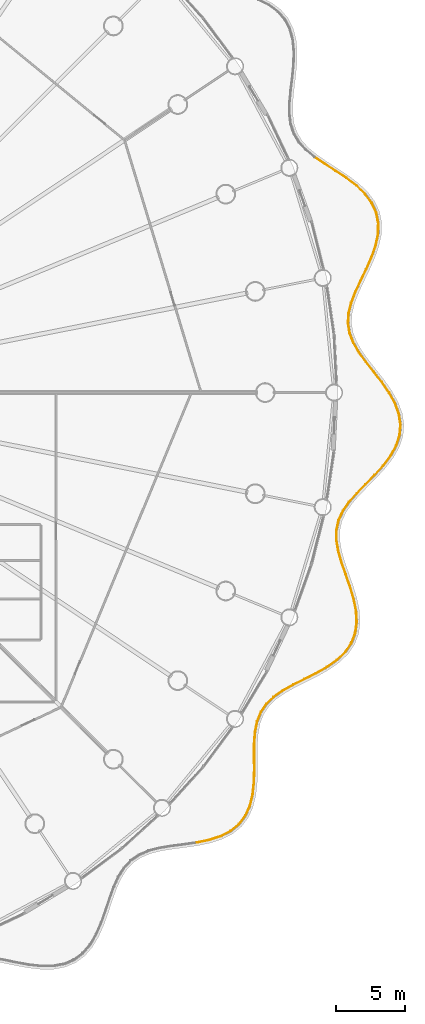
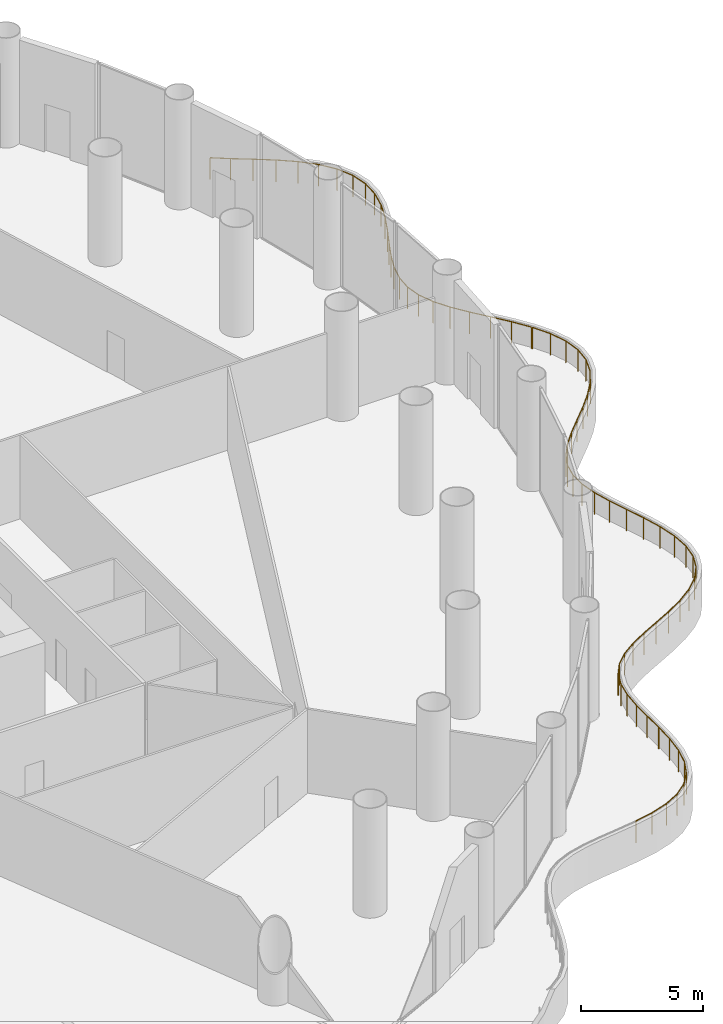
# One storey, part 35 of 37: 3 railings.
"""IFC4 building model written with IfcOpenShell, lengths in metres."""

from ifc_helpers import new_model, si_unit, direction, frame, origin, origin_2d, place, context, subcontext, project, spatial, circle, extrude, material, type_object, element, save


model = new_model("IFC4")

# Units and contexts
model_context = context("Model", 3, precision=1e-05, world=origin(), true_north=direction((0.0, 1.0)))
body_context = subcontext(model_context, "Body", "Model", "MODEL_VIEW")
ifc_project = project(units=[si_unit("LENGTHUNIT", "METRE"), si_unit("AREAUNIT", "SQUARE_METRE"), si_unit("VOLUMEUNIT", "CUBIC_METRE"), si_unit("PLANEANGLEUNIT", "RADIAN"), si_unit("MASSUNIT", "GRAM", prefix="KILO")], contexts=[model_context])

# Site, building, storey
site_placement = place(None, origin())
site = spatial("IfcSite", under=ifc_project, at=site_placement, CompositionType="ELEMENT")
building_placement = place(site_placement, origin())
building = spatial("IfcBuilding", under=site, at=building_placement, Name="Corvane Civic Tower", CompositionType="ELEMENT")
storey_placement = place(building_placement, frame((0.0, 0.0, 11.5)))
storey = spatial("IfcBuildingStorey", under=building, at=storey_placement, Name="L02", CompositionType="ELEMENT", Elevation=11.5)

# Railings
ifc_material = material(Name="Steel ASTM A572 Gr 50", Category="steel")
railing_type = type_object("IfcRailingType", Name="PODIUM-RL-GUARD-1100", PredefinedType="GUARDRAIL", material=ifc_material)
railing_1_placement = place(storey_placement, frame((32.746337890625, -32.716796875, 0.0)))
element("IfcRailing", 1, at=railing_1_placement, inside=storey, type_object=railing_type, Name="L02 ribbon guard 11", PredefinedType="GUARDRAIL", context=body_context, shape_type="SweptSolid", body=[
    extrude(circle(Radius=0.02392578125, at=origin_2d()), frame((0.0, 0.0, 1.076171875), z_axis=(0.979350284104, 0.202170771935, 0.0), x_axis=(-0.202170771935, 0.979350284104, 0.0)), (0.0, 0.0, 1.0), 0.89111328125),
    extrude(circle(Radius=0.02392578125, at=origin_2d()), frame((0.872802734375, 0.18017578125, 1.076171875), z_axis=(0.951112018986, 0.308846122431, 0.0), x_axis=(-0.308846122431, 0.951112018986, 0.0)), (0.0, 0.0, 1.0), 0.874267578125),
    extrude(circle(Radius=0.02392578125, at=origin_2d()), frame((1.704345703125, 0.4501953125, 1.076171875), z_axis=(0.888608978044, 0.458665547148, 0.0), x_axis=(-0.458665547148, 0.888608978044, 0.0)), (0.0, 0.0, 1.0), 0.824462890625),
    extrude(circle(Radius=0.02392578125, at=origin_2d()), frame((2.43701171875, 0.828369140625, 1.076171875), z_axis=(0.773127936515, 0.634250103492, 0.0), x_axis=(-0.634250103492, 0.773127936515, 0.0)), (0.0, 0.0, 1.0), 0.78759765625),
    extrude(circle(Radius=0.02392578125, at=origin_2d()), frame((3.0458984375, 1.327880859375, 1.076171875), z_axis=(0.603049995362, 0.797703392931, 0.0), x_axis=(-0.797703392931, 0.603049995362, 0.0)), (0.0, 0.0, 1.0), 0.780029296875),
    extrude(circle(Radius=0.02392578125, at=origin_2d()), frame((3.516357421875, 1.9501953125, 1.076171875), z_axis=(0.41001209647, 0.912080084613, 0.0), x_axis=(-0.912080084613, 0.41001209647, 0.0)), (0.0, 0.0, 1.0), 0.80615234375),
    extrude(circle(Radius=0.02392578125, at=origin_2d()), frame((3.846923828125, 2.685546875, 1.076171875), z_axis=(0.235796585795, 0.971802433691, 0.0), x_axis=(-0.971802433691, 0.235796585795, 0.0)), (0.0, 0.0, 1.0), 0.853271484375),
    extrude(circle(Radius=0.02392578125, at=origin_2d()), frame((4.048095703125, 3.5146484375, 1.076171875), z_axis=(0.105997077035, 0.994366441338, 0.0), x_axis=(-0.994366441338, 0.105997077035, 0.0)), (0.0, 0.0, 1.0), 0.900634765625),
    extrude(circle(Radius=0.02392578125, at=origin_2d()), frame((4.1435546875, 4.41015625, 1.076171875), z_axis=(0.024933175743, 0.999689120051, 0.0), x_axis=(-0.999689120051, 0.024933175743, 0.0)), (0.0, 0.0, 1.0), 0.93017578125),
    extrude(circle(Radius=0.02392578125, at=origin_2d()), frame((4.166748046875, 5.340087890625, 1.076171875), z_axis=(-0.009436015013, 0.999955479819, 0.0), x_axis=(-0.999955479819, -0.009436015013, 0.0)), (0.0, 0.0, 1.0), 0.931396484375),
    extrude(circle(Radius=0.02392578125, at=origin_2d()), frame((4.157958984375, 6.271484375, 1.076171875), z_axis=(0.003250253688, 0.999994717912, 0.0), x_axis=(-0.999994717912, 0.003250253688, 0.0)), (0.0, 0.0, 1.0), 0.9013671875),
    extrude(circle(Radius=0.02392578125, at=origin_2d()), frame((4.160888671875, 7.1728515625, 1.076171875), z_axis=(0.067437118765, 0.99772352634, 0.0), x_axis=(-0.99772352634, 0.067437118765, 0.0)), (0.0, 0.0, 1.0), 0.84716796875),
    extrude(circle(Radius=0.02392578125, at=origin_2d()), frame((4.218017578125, 8.01806640625, 1.076171875), z_axis=(0.18970227519, 0.981841660752, 0.0), x_axis=(-0.981841660752, 0.18970227519, 0.0)), (0.0, 0.0, 1.0), 0.78369140625),
    extrude(circle(Radius=0.02392578125, at=origin_2d()), frame((4.36669921875, 8.78759765625, 1.076171875), z_axis=(0.36444945393, 0.93122317171, 0.0), x_axis=(-0.93122317171, 0.36444945393, 0.0)), (0.0, 0.0, 1.0), 0.73486328125),
    extrude(circle(Radius=0.02392578125, at=origin_2d()), frame((4.634521484375, 9.471923828125, 1.076171875), z_axis=(0.558210589536, 0.82969930561, 0.0), x_axis=(-0.82969930561, 0.558210589536, 0.0)), (0.0, 0.0, 1.0), 0.72119140625),
    extrude(circle(Radius=0.02392578125, at=origin_2d()), frame((5.037109375, 10.0703125, 1.076171875), z_axis=(0.71905346714, 0.694954754926, 0.0), x_axis=(-0.694954754926, 0.71905346714, 0.0)), (0.0, 0.0, 1.0), 0.749755859375),
    extrude(circle(Radius=0.02392578125, at=origin_2d()), frame((5.576171875, 10.59130859375, 1.076171875), z_axis=(0.821570758338, 0.570106559377, 0.0), x_axis=(-0.570106559377, 0.821570758338, 0.0)), (0.0, 0.0, 1.0), 0.806884765625),
    extrude(circle(Radius=0.02392578125, at=origin_2d()), frame((6.239013671875, 11.05126953125, 1.076171875), z_axis=(0.874752887878, 0.484569277967, 0.0), x_axis=(-0.484569277967, 0.874752887878, 0.0)), (0.0, 0.0, 1.0), 0.869140625),
    extrude(circle(Radius=0.02392578125, at=origin_2d()), frame((6.999267578125, 11.472412109375, 1.076171875), z_axis=(0.895437895525, 0.445186449993, 0.0), x_axis=(-0.445186449993, 0.895437895525, 0.0)), (0.0, 0.0, 1.0), 0.915771484375),
    extrude(circle(Radius=0.02392578125, at=origin_2d()), frame((7.8193359375, 11.880126953125, 1.076171875), z_axis=(0.893274995005, 0.449510604212, 0.0), x_axis=(-0.449510604212, 0.893274995005, 0.0)), (0.0, 0.0, 1.0), 0.934814453125),
    extrude(circle(Radius=0.02392578125, at=origin_2d()), frame((8.654296875, 12.30029296875, 1.076171875), z_axis=(0.869040218452, 0.494741446326, 0.0), x_axis=(-0.494741446326, 0.869040218452, 0.0)), (0.0, 0.0, 1.0), 0.92236328125),
    extrude(circle(Radius=0.02392578125, at=origin_2d()), frame((9.455810546875, 12.756591796875, 1.076171875), z_axis=(0.815427285454, 0.578859518482, 0.0), x_axis=(-0.578859518482, 0.815427285454, 0.0)), (0.0, 0.0, 1.0), 0.884521484375),
    extrude(circle(Radius=0.02392578125, at=origin_2d()), frame((10.177001953125, 13.2685546875, 1.076171875), z_axis=(0.718998120827, 0.695012015901, 0.0), x_axis=(-0.695012015901, 0.718998120827, 0.0)), (0.0, 0.0, 1.0), 0.834716796875),
    extrude(circle(Radius=0.02392578125, at=origin_2d()), frame((10.777099609375, 13.8486328125, 1.076171875), z_axis=(0.564923088251, 0.825143565909, 0.0), x_axis=(-0.825143565909, 0.564923088251, 0.0)), (0.0, 0.0, 1.0), 0.768310546875),
    extrude(circle(Radius=0.02099609375, at=origin_2d()), origin(), (0.0, 0.0, 1.0), 1.052001953125),
    extrude(circle(Radius=0.02099609375, at=origin_2d()), frame((0.872802734375, 0.18017578125, 0.0)), (0.0, 0.0, 1.0), 1.052001953125),
    extrude(circle(Radius=0.02099609375, at=origin_2d()), frame((1.704345703125, 0.4501953125, 0.0)), (0.0, 0.0, 1.0), 1.052001953125),
    extrude(circle(Radius=0.02099609375, at=origin_2d()), frame((2.43701171875, 0.828369140625, 0.0)), (0.0, 0.0, 1.0), 1.052001953125),
    extrude(circle(Radius=0.02099609375, at=origin_2d()), frame((3.0458984375, 1.327880859375, 0.0)), (0.0, 0.0, 1.0), 1.052001953125),
    extrude(circle(Radius=0.02099609375, at=origin_2d()), frame((3.516357421875, 1.9501953125, 0.0)), (0.0, 0.0, 1.0), 1.052001953125),
    extrude(circle(Radius=0.02099609375, at=origin_2d()), frame((3.846923828125, 2.685546875, 0.0)), (0.0, 0.0, 1.0), 1.052001953125),
    extrude(circle(Radius=0.02099609375, at=origin_2d()), frame((4.048095703125, 3.5146484375, 0.0)), (0.0, 0.0, 1.0), 1.052001953125),
    extrude(circle(Radius=0.02099609375, at=origin_2d()), frame((4.1435546875, 4.41015625, 0.0)), (0.0, 0.0, 1.0), 1.052001953125),
    extrude(circle(Radius=0.02099609375, at=origin_2d()), frame((4.166748046875, 5.340087890625, 0.0)), (0.0, 0.0, 1.0), 1.052001953125),
    extrude(circle(Radius=0.02099609375, at=origin_2d()), frame((4.157958984375, 6.271484375, 0.0)), (0.0, 0.0, 1.0), 1.052001953125),
    extrude(circle(Radius=0.02099609375, at=origin_2d()), frame((4.160888671875, 7.1728515625, 0.0)), (0.0, 0.0, 1.0), 1.052001953125),
    extrude(circle(Radius=0.02099609375, at=origin_2d()), frame((4.218017578125, 8.01806640625, 0.0)), (0.0, 0.0, 1.0), 1.052001953125),
    extrude(circle(Radius=0.02099609375, at=origin_2d()), frame((4.36669921875, 8.78759765625, 0.0)), (0.0, 0.0, 1.0), 1.052001953125),
    extrude(circle(Radius=0.02099609375, at=origin_2d()), frame((4.634521484375, 9.471923828125, 0.0)), (0.0, 0.0, 1.0), 1.052001953125),
    extrude(circle(Radius=0.02099609375, at=origin_2d()), frame((5.037109375, 10.0703125, 0.0)), (0.0, 0.0, 1.0), 1.052001953125),
    extrude(circle(Radius=0.02099609375, at=origin_2d()), frame((5.576171875, 10.59130859375, 0.0)), (0.0, 0.0, 1.0), 1.052001953125),
    extrude(circle(Radius=0.02099609375, at=origin_2d()), frame((6.239013671875, 11.05126953125, 0.0)), (0.0, 0.0, 1.0), 1.052001953125),
    extrude(circle(Radius=0.02099609375, at=origin_2d()), frame((6.999267578125, 11.472412109375, 0.0)), (0.0, 0.0, 1.0), 1.052001953125),
    extrude(circle(Radius=0.02099609375, at=origin_2d()), frame((7.8193359375, 11.880126953125, 0.0)), (0.0, 0.0, 1.0), 1.052001953125),
    extrude(circle(Radius=0.02099609375, at=origin_2d()), frame((8.654296875, 12.30029296875, 0.0)), (0.0, 0.0, 1.0), 1.052001953125),
    extrude(circle(Radius=0.02099609375, at=origin_2d()), frame((9.455810546875, 12.756591796875, 0.0)), (0.0, 0.0, 1.0), 1.052001953125),
    extrude(circle(Radius=0.02099609375, at=origin_2d()), frame((10.177001953125, 13.2685546875, 0.0)), (0.0, 0.0, 1.0), 1.052001953125),
    extrude(circle(Radius=0.02099609375, at=origin_2d()), frame((10.777099609375, 13.8486328125, 0.0)), (0.0, 0.0, 1.0), 1.052001953125),
    extrude(circle(Radius=0.02099609375, at=origin_2d()), frame((11.211181640625, 14.482666015625, 0.0)), (0.0, 0.0, 1.0), 1.052001953125),
])
railing_2_placement = place(storey_placement, frame((43.980712890625, -18.190185546875, 0.0)))
element("IfcRailing", 2, at=railing_2_placement, inside=storey, type_object=railing_type, Name="L02 ribbon guard 12", PredefinedType="GUARDRAIL", context=body_context, shape_type="SweptSolid", body=[
    extrude(circle(Radius=0.02392578125, at=origin_2d()), frame((0.0, 0.0, 1.076171875), z_axis=(0.358675095496, 0.933462466236, 0.0), x_axis=(-0.933462466236, 0.358675095496, 0.0)), (0.0, 0.0, 1.0), 0.75341796875),
    extrude(circle(Radius=0.02392578125, at=origin_2d()), frame((0.270263671875, 0.703369140625, 1.076171875), z_axis=(0.136068290058, 0.9906994602, 0.0), x_axis=(-0.9906994602, 0.136068290058, 0.0)), (0.0, 0.0, 1.0), 0.79833984375),
    extrude(circle(Radius=0.02392578125, at=origin_2d()), frame((0.37890625, 1.494384765625, 1.076171875), z_axis=(-0.057957564445, 0.998319047561, 0.0), x_axis=(-0.998319047561, -0.057957564445, 0.0)), (0.0, 0.0, 1.0), 0.842529296875),
    extrude(circle(Radius=0.02392578125, at=origin_2d()), frame((0.330078125, 2.33544921875, 1.076171875), z_axis=(-0.199589877807, 0.979879523552, 0.0), x_axis=(-0.979879523552, -0.199589877807, 0.0)), (0.0, 0.0, 1.0), 0.8916015625),
    extrude(circle(Radius=0.02392578125, at=origin_2d()), frame((0.152099609375, 3.209228515625, 1.076171875), z_axis=(-0.288653579116, 0.957433606713, 0.0), x_axis=(-0.957433606713, -0.288653579116, 0.0)), (0.0, 0.0, 1.0), 0.926025390625),
    extrude(circle(Radius=0.02392578125, at=origin_2d()), frame((-0.115234375, 4.095947265625, 1.076171875), z_axis=(-0.330466878924, 0.943817589333, 0.0), x_axis=(-0.943817589333, -0.330466878924, 0.0)), (0.0, 0.0, 1.0), 0.933837890625),
    extrude(circle(Radius=0.02392578125, at=origin_2d()), frame((-0.423828125, 4.977294921875, 1.076171875), z_axis=(-0.328031635624, 0.944666738077, 0.0), x_axis=(-0.944666738077, -0.328031635624, 0.0)), (0.0, 0.0, 1.0), 0.91015625),
    extrude(circle(Radius=0.02392578125, at=origin_2d()), frame((-0.722412109375, 5.837158203125, 1.076171875), z_axis=(-0.27772020154, 0.96066200594, 0.0), x_axis=(-0.96066200594, -0.27772020154, 0.0)), (0.0, 0.0, 1.0), 0.85986328125),
    extrude(circle(Radius=0.02392578125, at=origin_2d()), frame((-0.961181640625, 6.6630859375, 1.076171875), z_axis=(-0.170060830048, 0.98543356655, 0.0), x_axis=(-0.98543356655, -0.170060830048, 0.0)), (0.0, 0.0, 1.0), 0.796875),
    extrude(circle(Radius=0.02392578125, at=origin_2d()), frame((-1.0966796875, 7.4482421875, 1.076171875), z_axis=(-0.000328623052, 0.999999946003, 0.0), x_axis=(-0.999999946003, -0.000328623052, 0.0)), (0.0, 0.0, 1.0), 0.742919921875),
    extrude(circle(Radius=0.02392578125, at=origin_2d()), frame((-1.096923828125, 8.191162109375, 1.076171875), z_axis=(0.212837667857, 0.977087573937, 0.0), x_axis=(-0.977087573937, 0.212837667857, 0.0)), (0.0, 0.0, 1.0), 0.720458984375),
    extrude(circle(Radius=0.02392578125, at=origin_2d()), frame((-0.943603515625, 8.89501953125, 1.076171875), z_axis=(0.41757371867, 0.908643048439, 0.0), x_axis=(-0.908643048439, 0.41757371867, 0.0)), (0.0, 0.0, 1.0), 0.74072265625),
    extrude(circle(Radius=0.02392578125, at=origin_2d()), frame((-0.63427734375, 9.568115234375, 1.076171875), z_axis=(0.56832961882, 0.822800974946, 0.0), x_axis=(-0.822800974946, 0.56832961882, 0.0)), (0.0, 0.0, 1.0), 0.79345703125),
    extrude(circle(Radius=0.02392578125, at=origin_2d()), frame((-0.183349609375, 10.220947265625, 1.076171875), z_axis=(0.65775776046, 0.75322953245, 0.0), x_axis=(-0.75322953245, 0.65775776046, 0.0)), (0.0, 0.0, 1.0), 0.856689453125),
    extrude(circle(Radius=0.02392578125, at=origin_2d()), frame((0.380126953125, 10.8662109375, 1.076171875), z_axis=(0.698857923336, 0.715260514072, 0.0), x_axis=(-0.715260514072, 0.698857923336, 0.0)), (0.0, 0.0, 1.0), 0.907958984375),
    extrude(circle(Radius=0.02392578125, at=origin_2d()), frame((1.0146484375, 11.515625, 1.076171875), z_axis=(0.702384147199, 0.711798082158, 0.0), x_axis=(-0.711798082158, 0.702384147199, 0.0)), (0.0, 0.0, 1.0), 0.93359375),
    extrude(circle(Radius=0.02392578125, at=origin_2d()), frame((1.67041015625, 12.18017578125, 1.076171875), z_axis=(0.672187761022, 0.740380722285, 0.0), x_axis=(-0.740380722285, 0.672187761022, 0.0)), (0.0, 0.0, 1.0), 0.92724609375),
    extrude(circle(Radius=0.02392578125, at=origin_2d()), frame((2.293701171875, 12.86669921875, 1.076171875), z_axis=(0.603621021623, 0.797271385574, 0.0), x_axis=(-0.797271385574, 0.603621021623, 0.0)), (0.0, 0.0, 1.0), 0.893798828125),
    extrude(circle(Radius=0.02392578125, at=origin_2d()), frame((2.833251953125, 13.579345703125, 1.076171875), z_axis=(0.486182441808, 0.873857330047, 0.0), x_axis=(-0.873857330047, 0.486182441808, 0.0)), (0.0, 0.0, 1.0), 0.84521484375),
    extrude(circle(Radius=0.02392578125, at=origin_2d()), frame((3.244140625, 14.31787109375, 1.076171875), z_axis=(0.310823647383, 0.95046760083, 0.0), x_axis=(-0.95046760083, 0.310823647383, 0.0)), (0.0, 0.0, 1.0), 0.80029296875),
    extrude(circle(Radius=0.02392578125, at=origin_2d()), frame((3.492919921875, 15.07861328125, 1.076171875), z_axis=(0.086183330017, 0.996279294991, 0.0), x_axis=(-0.996279294991, 0.086183330017, 0.0)), (0.0, 0.0, 1.0), 0.779052734375),
    extrude(circle(Radius=0.02392578125, at=origin_2d()), frame((3.56005859375, 15.854736328125, 1.076171875), z_axis=(-0.147420434322, 0.98907391814, 0.0), x_axis=(-0.98907391814, -0.147420434322, 0.0)), (0.0, 0.0, 1.0), 0.79150390625),
    extrude(circle(Radius=0.02392578125, at=origin_2d()), frame((3.443359375, 16.6376953125, 1.076171875), z_axis=(-0.344427050262, 0.938813084191, 0.0), x_axis=(-0.938813084191, -0.344427050262, 0.0)), (0.0, 0.0, 1.0), 0.832275390625),
    extrude(circle(Radius=0.02392578125, at=origin_2d()), frame((3.15673828125, 17.4189453125, 1.076171875), z_axis=(-0.484771582084, 0.874640790956, 0.0), x_axis=(-0.874640790956, -0.484771582084, 0.0)), (0.0, 0.0, 1.0), 0.856689453125),
    extrude(circle(Radius=0.02099609375, at=origin_2d()), origin(), (0.0, 0.0, 1.0), 1.052001953125),
    extrude(circle(Radius=0.02099609375, at=origin_2d()), frame((0.270263671875, 0.703369140625, 0.0)), (0.0, 0.0, 1.0), 1.052001953125),
    extrude(circle(Radius=0.02099609375, at=origin_2d()), frame((0.37890625, 1.494384765625, 0.0)), (0.0, 0.0, 1.0), 1.052001953125),
    extrude(circle(Radius=0.02099609375, at=origin_2d()), frame((0.330078125, 2.33544921875, 0.0)), (0.0, 0.0, 1.0), 1.052001953125),
    extrude(circle(Radius=0.02099609375, at=origin_2d()), frame((0.152099609375, 3.209228515625, 0.0)), (0.0, 0.0, 1.0), 1.052001953125),
    extrude(circle(Radius=0.02099609375, at=origin_2d()), frame((-0.115234375, 4.095947265625, 0.0)), (0.0, 0.0, 1.0), 1.052001953125),
    extrude(circle(Radius=0.02099609375, at=origin_2d()), frame((-0.423828125, 4.977294921875, 0.0)), (0.0, 0.0, 1.0), 1.052001953125),
    extrude(circle(Radius=0.02099609375, at=origin_2d()), frame((-0.722412109375, 5.837158203125, 0.0)), (0.0, 0.0, 1.0), 1.052001953125),
    extrude(circle(Radius=0.02099609375, at=origin_2d()), frame((-0.961181640625, 6.6630859375, 0.0)), (0.0, 0.0, 1.0), 1.052001953125),
    extrude(circle(Radius=0.02099609375, at=origin_2d()), frame((-1.0966796875, 7.4482421875, 0.0)), (0.0, 0.0, 1.0), 1.052001953125),
    extrude(circle(Radius=0.02099609375, at=origin_2d()), frame((-1.096923828125, 8.191162109375, 0.0)), (0.0, 0.0, 1.0), 1.052001953125),
    extrude(circle(Radius=0.02099609375, at=origin_2d()), frame((-0.943603515625, 8.89501953125, 0.0)), (0.0, 0.0, 1.0), 1.052001953125),
    extrude(circle(Radius=0.02099609375, at=origin_2d()), frame((-0.63427734375, 9.568115234375, 0.0)), (0.0, 0.0, 1.0), 1.052001953125),
    extrude(circle(Radius=0.02099609375, at=origin_2d()), frame((-0.183349609375, 10.220947265625, 0.0)), (0.0, 0.0, 1.0), 1.052001953125),
    extrude(circle(Radius=0.02099609375, at=origin_2d()), frame((0.380126953125, 10.8662109375, 0.0)), (0.0, 0.0, 1.0), 1.052001953125),
    extrude(circle(Radius=0.02099609375, at=origin_2d()), frame((1.0146484375, 11.515625, 0.0)), (0.0, 0.0, 1.0), 1.052001953125),
    extrude(circle(Radius=0.02099609375, at=origin_2d()), frame((1.67041015625, 12.18017578125, 0.0)), (0.0, 0.0, 1.0), 1.052001953125),
    extrude(circle(Radius=0.02099609375, at=origin_2d()), frame((2.293701171875, 12.86669921875, 0.0)), (0.0, 0.0, 1.0), 1.052001953125),
    extrude(circle(Radius=0.02099609375, at=origin_2d()), frame((2.833251953125, 13.579345703125, 0.0)), (0.0, 0.0, 1.0), 1.052001953125),
    extrude(circle(Radius=0.02099609375, at=origin_2d()), frame((3.244140625, 14.31787109375, 0.0)), (0.0, 0.0, 1.0), 1.052001953125),
    extrude(circle(Radius=0.02099609375, at=origin_2d()), frame((3.492919921875, 15.07861328125, 0.0)), (0.0, 0.0, 1.0), 1.052001953125),
    extrude(circle(Radius=0.02099609375, at=origin_2d()), frame((3.56005859375, 15.854736328125, 0.0)), (0.0, 0.0, 1.0), 1.052001953125),
    extrude(circle(Radius=0.02099609375, at=origin_2d()), frame((3.443359375, 16.6376953125, 0.0)), (0.0, 0.0, 1.0), 1.052001953125),
    extrude(circle(Radius=0.02099609375, at=origin_2d()), frame((3.15673828125, 17.4189453125, 0.0)), (0.0, 0.0, 1.0), 1.052001953125),
    extrude(circle(Radius=0.02099609375, at=origin_2d()), frame((2.741455078125, 18.168212890625, 0.0)), (0.0, 0.0, 1.0), 1.052001953125),
])
railing_3_placement = place(storey_placement, frame((46.69580078125, 0.0205078125, 0.0)))
element("IfcRailing", 3, at=railing_3_placement, inside=storey, type_object=railing_type, Name="L02 ribbon guard 13", PredefinedType="GUARDRAIL", context=body_context, shape_type="SweptSolid", body=[
    extrude(circle(Radius=0.02392578125, at=origin_2d()), frame((0.0, 0.0, 1.076171875), z_axis=(-0.571375795207, 0.820688552772, 0.0), x_axis=(-0.820688552772, -0.571375795207, 0.0)), (0.0, 0.0, 1.0), 0.89599609375),
    extrude(circle(Radius=0.02392578125, at=origin_2d()), frame((-0.511962890625, 0.7353515625, 1.076171875), z_axis=(-0.614771968679, 0.788704904592, 0.0), x_axis=(-0.788704904592, -0.614771968679, 0.0)), (0.0, 0.0, 1.0), 0.934814453125),
    extrude(circle(Radius=0.02392578125, at=origin_2d()), frame((-1.086669921875, 1.47265625, 1.076171875), z_axis=(-0.620532538307, 0.784180699139, 0.0), x_axis=(-0.784180699139, -0.620532538307, 0.0)), (0.0, 0.0, 1.0), 0.91748046875),
    extrude(circle(Radius=0.02392578125, at=origin_2d()), frame((-1.656005859375, 2.192138671875, 1.076171875), z_axis=(-0.587339096763, 0.809340957455, 0.0), x_axis=(-0.809340957455, -0.587339096763, 0.0)), (0.0, 0.0, 1.0), 0.8720703125),
    extrude(circle(Radius=0.02392578125, at=origin_2d()), frame((-2.168212890625, 2.89794921875, 1.076171875), z_axis=(-0.505649896337, 0.862738768304, 0.0), x_axis=(-0.862738768304, -0.505649896337, 0.0)), (0.0, 0.0, 1.0), 0.810302734375),
    extrude(circle(Radius=0.02392578125, at=origin_2d()), frame((-2.577880859375, 3.596923828125, 1.076171875), z_axis=(-0.362869121859, 0.931840115257, 0.0), x_axis=(-0.931840115257, -0.362869121859, 0.0)), (0.0, 0.0, 1.0), 0.752197265625),
    extrude(circle(Radius=0.02392578125, at=origin_2d()), frame((-2.850830078125, 4.2978515625, 1.076171875), z_axis=(-0.162698350099, 0.986675857045, 0.0), x_axis=(-0.986675857045, -0.162698350099, 0.0)), (0.0, 0.0, 1.0), 0.7216796875),
    extrude(circle(Radius=0.02392578125, at=origin_2d()), frame((-2.96826171875, 5.010009765625, 1.076171875), z_axis=(0.056945469186, 0.998377290176, 0.0), x_axis=(-0.998377290176, 0.056945469186, 0.0)), (0.0, 0.0, 1.0), 0.733154296875),
    extrude(circle(Radius=0.02392578125, at=origin_2d()), frame((-2.926513671875, 5.741943359375, 1.076171875), z_axis=(0.239885475498, 0.970801194192, 0.0), x_axis=(-0.970801194192, 0.239885475498, 0.0)), (0.0, 0.0, 1.0), 0.780517578125),
    extrude(circle(Radius=0.02392578125, at=origin_2d()), frame((-2.7392578125, 6.499755859375, 1.076171875), z_axis=(0.359987220664, 0.93295723426, 0.0), x_axis=(-0.93295723426, 0.359987220664, 0.0)), (0.0, 0.0, 1.0), 0.84375),
    extrude(circle(Radius=0.02392578125, at=origin_2d()), frame((-2.435546875, 7.286865234375, 1.076171875), z_axis=(0.421948777942, 0.906619671524, 0.0), x_axis=(-0.906619671524, 0.421948777942, 0.0)), (0.0, 0.0, 1.0), 0.899169921875),
    extrude(circle(Radius=0.02392578125, at=origin_2d()), frame((-2.05615234375, 8.10205078125, 1.076171875), z_axis=(0.435842110154, 0.900023141378, 0.0), x_axis=(-0.900023141378, 0.435842110154, 0.0)), (0.0, 0.0, 1.0), 0.930419921875),
    extrude(circle(Radius=0.02392578125, at=origin_2d()), frame((-1.650634765625, 8.939453125, 1.076171875), z_axis=(0.406819340059, 0.913508634088, 0.0), x_axis=(-0.913508634088, 0.406819340059, 0.0)), (0.0, 0.0, 1.0), 0.931396484375),
    extrude(circle(Radius=0.02392578125, at=origin_2d()), frame((-1.271728515625, 9.790283203125, 1.076171875), z_axis=(0.333782049108, 0.942650276451, 0.0), x_axis=(-0.942650276451, 0.333782049108, 0.0)), (0.0, 0.0, 1.0), 0.902587890625),
    extrude(circle(Radius=0.02392578125, at=origin_2d()), frame((-0.970458984375, 10.64111328125, 1.076171875), z_axis=(0.209373242359, 0.977835796739, 0.0), x_axis=(-0.977835796739, 0.209373242359, 0.0)), (0.0, 0.0, 1.0), 0.85595703125),
    extrude(circle(Radius=0.02392578125, at=origin_2d()), frame((-0.791259765625, 11.47802734375, 1.076171875), z_axis=(0.029603218317, 0.999561728692, 0.0), x_axis=(-0.999561728692, 0.029603218317, 0.0)), (0.0, 0.0, 1.0), 0.80810546875),
    extrude(circle(Radius=0.02392578125, at=origin_2d()), frame((-0.767333984375, 12.285888671875, 1.076171875), z_axis=(-0.192928093659, 0.981212897733, 0.0), x_axis=(-0.981212897733, -0.192928093659, 0.0)), (0.0, 0.0, 1.0), 0.78076171875),
    extrude(circle(Radius=0.02392578125, at=origin_2d()), frame((-0.91796875, 13.052001953125, 1.076171875), z_axis=(-0.417659549291, 0.908603599424, 0.0), x_axis=(-0.908603599424, -0.417659549291, 0.0)), (0.0, 0.0, 1.0), 0.7861328125),
    extrude(circle(Radius=0.02392578125, at=origin_2d()), frame((-1.246337890625, 13.766357421875, 1.076171875), z_axis=(-0.599762443872, 0.800178111998, 0.0), x_axis=(-0.800178111998, -0.599762443872, 0.0)), (0.0, 0.0, 1.0), 0.822265625),
    extrude(circle(Radius=0.02392578125, at=origin_2d()), frame((-1.739501953125, 14.42431640625, 1.076171875), z_axis=(-0.723304663882, 0.690529045882, 0.0), x_axis=(-0.690529045882, -0.723304663882, 0.0)), (0.0, 0.0, 1.0), 0.87158203125),
    extrude(circle(Radius=0.02392578125, at=origin_2d()), frame((-2.369873046875, 15.026123046875, 1.076171875), z_axis=(-0.796655807084, 0.604433226286, 0.0), x_axis=(-0.604433226286, -0.796655807084, 0.0)), (0.0, 0.0, 1.0), 0.91455078125),
    extrude(circle(Radius=0.02392578125, at=origin_2d()), frame((-3.098388671875, 15.578857421875, 1.076171875), z_axis=(-0.83337465596, 0.552708497133, 0.0), x_axis=(-0.552708497133, -0.83337465596, 0.0)), (0.0, 0.0, 1.0), 0.934326171875),
    extrude(circle(Radius=0.02392578125, at=origin_2d()), frame((-3.876953125, 16.09521484375, 1.076171875), z_axis=(-0.842822766724, 0.53819121499, 0.0), x_axis=(-0.53819121499, -0.842822766724, 0.0)), (0.0, 0.0, 1.0), 0.924072265625),
    extrude(circle(Radius=0.02392578125, at=origin_2d()), frame((-4.65576171875, 16.592529296875, 1.076171875), z_axis=(-0.82573958795, 0.564051533898, 0.0), x_axis=(-0.564051533898, -0.82573958795, 0.0)), (0.0, 0.0, 1.0), 0.8583984375),
    extrude(circle(Radius=0.02099609375, at=origin_2d()), origin(), (0.0, 0.0, 1.0), 1.052001953125),
    extrude(circle(Radius=0.02099609375, at=origin_2d()), frame((-0.511962890625, 0.7353515625, 0.0)), (0.0, 0.0, 1.0), 1.052001953125),
    extrude(circle(Radius=0.02099609375, at=origin_2d()), frame((-1.086669921875, 1.47265625, 0.0)), (0.0, 0.0, 1.0), 1.052001953125),
    extrude(circle(Radius=0.02099609375, at=origin_2d()), frame((-1.656005859375, 2.192138671875, 0.0)), (0.0, 0.0, 1.0), 1.052001953125),
    extrude(circle(Radius=0.02099609375, at=origin_2d()), frame((-2.168212890625, 2.89794921875, 0.0)), (0.0, 0.0, 1.0), 1.052001953125),
    extrude(circle(Radius=0.02099609375, at=origin_2d()), frame((-2.577880859375, 3.596923828125, 0.0)), (0.0, 0.0, 1.0), 1.052001953125),
    extrude(circle(Radius=0.02099609375, at=origin_2d()), frame((-2.850830078125, 4.2978515625, 0.0)), (0.0, 0.0, 1.0), 1.052001953125),
    extrude(circle(Radius=0.02099609375, at=origin_2d()), frame((-2.96826171875, 5.010009765625, 0.0)), (0.0, 0.0, 1.0), 1.052001953125),
    extrude(circle(Radius=0.02099609375, at=origin_2d()), frame((-2.926513671875, 5.741943359375, 0.0)), (0.0, 0.0, 1.0), 1.052001953125),
    extrude(circle(Radius=0.02099609375, at=origin_2d()), frame((-2.7392578125, 6.499755859375, 0.0)), (0.0, 0.0, 1.0), 1.052001953125),
    extrude(circle(Radius=0.02099609375, at=origin_2d()), frame((-2.435546875, 7.286865234375, 0.0)), (0.0, 0.0, 1.0), 1.052001953125),
    extrude(circle(Radius=0.02099609375, at=origin_2d()), frame((-2.05615234375, 8.10205078125, 0.0)), (0.0, 0.0, 1.0), 1.052001953125),
    extrude(circle(Radius=0.02099609375, at=origin_2d()), frame((-1.650634765625, 8.939453125, 0.0)), (0.0, 0.0, 1.0), 1.052001953125),
    extrude(circle(Radius=0.02099609375, at=origin_2d()), frame((-1.271728515625, 9.790283203125, 0.0)), (0.0, 0.0, 1.0), 1.052001953125),
    extrude(circle(Radius=0.02099609375, at=origin_2d()), frame((-0.970458984375, 10.64111328125, 0.0)), (0.0, 0.0, 1.0), 1.052001953125),
    extrude(circle(Radius=0.02099609375, at=origin_2d()), frame((-0.791259765625, 11.47802734375, 0.0)), (0.0, 0.0, 1.0), 1.052001953125),
    extrude(circle(Radius=0.02099609375, at=origin_2d()), frame((-0.767333984375, 12.285888671875, 0.0)), (0.0, 0.0, 1.0), 1.052001953125),
    extrude(circle(Radius=0.02099609375, at=origin_2d()), frame((-0.91796875, 13.052001953125, 0.0)), (0.0, 0.0, 1.0), 1.052001953125),
    extrude(circle(Radius=0.02099609375, at=origin_2d()), frame((-1.246337890625, 13.766357421875, 0.0)), (0.0, 0.0, 1.0), 1.052001953125),
    extrude(circle(Radius=0.02099609375, at=origin_2d()), frame((-1.739501953125, 14.42431640625, 0.0)), (0.0, 0.0, 1.0), 1.052001953125),
    extrude(circle(Radius=0.02099609375, at=origin_2d()), frame((-2.369873046875, 15.026123046875, 0.0)), (0.0, 0.0, 1.0), 1.052001953125),
    extrude(circle(Radius=0.02099609375, at=origin_2d()), frame((-3.098388671875, 15.578857421875, 0.0)), (0.0, 0.0, 1.0), 1.052001953125),
    extrude(circle(Radius=0.02099609375, at=origin_2d()), frame((-3.876953125, 16.09521484375, 0.0)), (0.0, 0.0, 1.0), 1.052001953125),
    extrude(circle(Radius=0.02099609375, at=origin_2d()), frame((-4.65576171875, 16.592529296875, 0.0)), (0.0, 0.0, 1.0), 1.052001953125),
    extrude(circle(Radius=0.02099609375, at=origin_2d()), frame((-5.364501953125, 17.07666015625, 0.0)), (0.0, 0.0, 1.0), 1.052001953125),
])

save(model, "model.ifc")
